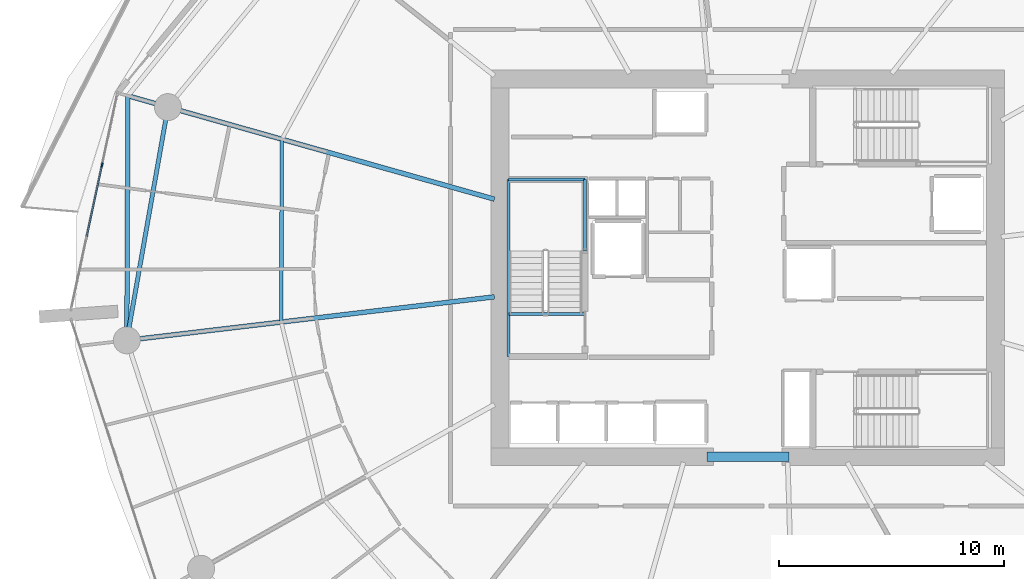
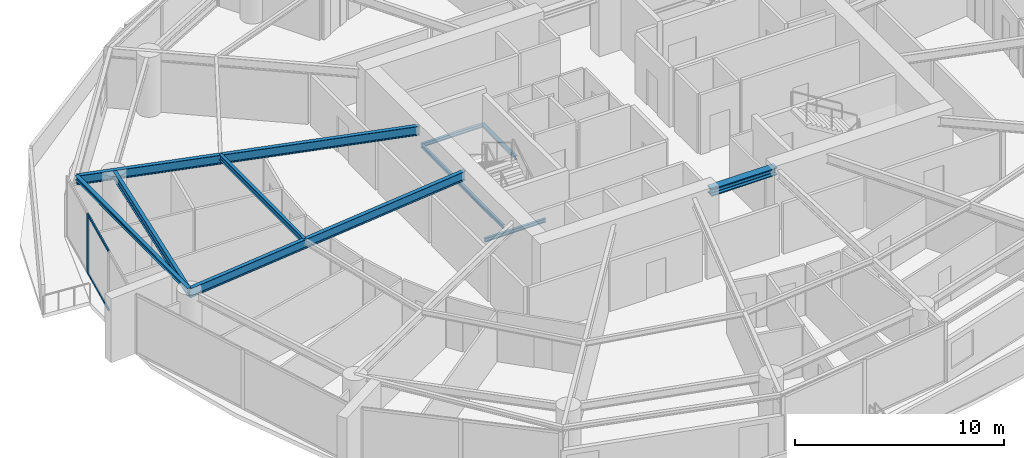
# One storey, part 6 of 23: 10 beams, 3 members, 1 element without a shape of its own.
"""IFC4 building model written with IfcOpenShell, lengths in metres."""

from ifc_helpers import new_model, si_unit, direction, frame, origin, origin_2d, place, context, subcontext, project, spatial, rectangle, i_section, extrude, material, layer, layer_set, material_profile, profile_set, type_object, element, aggregate, save


model = new_model("IFC4")

# Units and contexts
model_context = context("Model", 3, precision=1e-05, world=origin(), true_north=direction((0.0, 1.0)))
body_context = subcontext(model_context, "Body", "Model", "MODEL_VIEW")
ifc_project = project(units=[si_unit("LENGTHUNIT", "METRE"), si_unit("AREAUNIT", "SQUARE_METRE"), si_unit("VOLUMEUNIT", "CUBIC_METRE"), si_unit("PLANEANGLEUNIT", "RADIAN"), si_unit("MASSUNIT", "GRAM", prefix="KILO")], contexts=[model_context])

# Site, building, storey
site_placement = place(None, origin())
site = spatial("IfcSite", under=ifc_project, at=site_placement, CompositionType="ELEMENT")
building_placement = place(site_placement, origin())
building = spatial("IfcBuilding", under=site, at=building_placement, Name="Kazma Halo Residences", CompositionType="ELEMENT")
storey_placement = place(building_placement, frame((0.0, 0.0, 97.64990234375)))
storey = spatial("IfcBuildingStorey", under=building, at=storey_placement, Name="L24", CompositionType="ELEMENT", Elevation=97.64990234375)

# Beams
ifc_material_1 = material(Name="Steel S355", Category="steel")
ifc_material_profile_1 = material_profile(ifc_material_1, i_section(OverallWidth=0.201904296875, OverallDepth=0.2470703125, WebThickness=0.00732421875, FlangeThickness=0.010986328125, FilletRadius=0.011962890625, at=origin_2d()), Name="W250x49.1")
ifc_profile_set_1 = profile_set([ifc_material_profile_1], Name="Steel S355")
beam_type_1 = type_object("IfcBeamType", Name="BM-BAL-CANT", PredefinedType="BEAM", material=ifc_profile_set_1)
beam_1_placement = place(storey_placement, frame((20.8427734375, 49.6591796875, 3.376708984375), z_axis=(-0.004532963616, -0.999989726068, 0.0), x_axis=(0.999989726068, -0.004532963616, 0.0)))
element("IfcBeam", 1, at=beam_1_placement, inside=storey, type_object=beam_type_1, Name="L24 wave-balcony tie beam 07", PredefinedType="BEAM", context=body_context, shape_type="SweptSolid", body=[
    extrude(i_section(OverallWidth=0.201904296875, OverallDepth=0.2470703125, WebThickness=0.00732421875, FlangeThickness=0.010986328125, FilletRadius=0.011962890625, at=origin_2d()), origin(), (0.0, 0.0, 1.0), 10.87939453125),
])
ifc_material_profile_2 = material_profile(ifc_material_1, i_section(OverallWidth=0.408935546875, OverallDepth=0.425048828125, WebThickness=0.03271484375, FlangeThickness=0.052490234375, FilletRadius=0.02001953125, at=origin_2d()), Name="W360x421")
ifc_profile_set_2 = profile_set([ifc_material_profile_2], Name="Steel S355")
beam_type_2 = type_object("IfcBeamType", Name="BM-CORE-W360H", PredefinedType="BEAM", material=ifc_profile_set_2)
beam_2_placement = place(storey_placement, frame((46.60009765625, 33.60009765625, 3.28759765625), z_axis=(1.0, 0.0, 0.0), x_axis=(0.0, 1.0, 0.0)))
element("IfcBeam", 2, at=beam_2_placement, inside=storey, type_object=beam_type_2, Name="L24 core coupling beam S", PredefinedType="BEAM", context=body_context, shape_type="SweptSolid", body=[
    extrude(i_section(OverallWidth=0.408935546875, OverallDepth=0.425048828125, WebThickness=0.03271484375, FlangeThickness=0.052490234375, FilletRadius=0.02001953125, at=origin_2d()), origin(), (0.0, 0.0, 1.0), 3.64990234375),
])
ifc_material_profile_3 = material_profile(ifc_material_1, i_section(OverallWidth=0.208984375, OverallDepth=0.532958984375, WebThickness=0.01025390625, FlangeThickness=0.015625, FilletRadius=0.01611328125, at=origin_2d()), Name="W530x92")
ifc_profile_set_3 = profile_set([ifc_material_profile_3], Name="Steel S355")
beam_type_3 = type_object("IfcBeamType", Name="BM-RAD-W530", PredefinedType="BEAM", material=ifc_profile_set_3)
beam_3_placement = place(storey_placement, frame((37.14990234375, 45.06005859375, 3.233642578125), z_axis=(-0.962454695383, 0.271442368351, 0.0), x_axis=(-0.271442368351, -0.962454695383, 0.0)))
element("IfcBeam", 3, at=beam_3_placement, inside=storey, type_object=beam_type_3, Name="L24 radial floor beam 07", PredefinedType="BEAM", context=body_context, shape_type="SweptSolid", body=[
    extrude(i_section(OverallWidth=0.208984375, OverallDepth=0.532958984375, WebThickness=0.01025390625, FlangeThickness=0.015625, FilletRadius=0.01611328125, at=origin_2d()), origin(), (0.0, 0.0, 1.0), 16.943359375),
])
beam_4_placement = place(storey_placement, frame((37.14990234375, 40.7158203125, 3.233642578125), z_axis=(-0.99306759037, -0.117544718963, 0.0), x_axis=(0.117544718963, -0.99306759037, 0.0)))
element("IfcBeam", 4, at=beam_4_placement, inside=storey, type_object=beam_type_3, Name="L24 radial floor beam 08", PredefinedType="BEAM", context=body_context, shape_type="SweptSolid", body=[
    extrude(i_section(OverallWidth=0.208984375, OverallDepth=0.532958984375, WebThickness=0.01025390625, FlangeThickness=0.015625, FilletRadius=0.01611328125, at=origin_2d()), origin(), (0.0, 0.0, 1.0), 16.470703125),
])
ifc_material_profile_4 = material_profile(ifc_material_1, i_section(OverallWidth=0.1650390625, OverallDepth=0.31005859375, WebThickness=0.005859375, FlangeThickness=0.009765625, FilletRadius=0.011962890625, at=origin_2d()), Name="W310x38.7")
ifc_profile_set_4 = profile_set([ifc_material_profile_4], Name="Steel S355")
beam_type_4 = type_object("IfcBeamType", Name="BM-SEC-W310B", PredefinedType="JOIST", material=ifc_profile_set_4)
beam_5_placement = place(storey_placement, frame((27.69189453125, 47.7275390625, 3.34521484375), z_axis=(-0.003541500645, -0.999993728867, 0.0), x_axis=(0.999993728867, -0.003541500645, 0.0)))
element("IfcBeam", 5, at=beam_5_placement, inside=storey, type_object=beam_type_4, Name="L24 circumferential floor joist 07", PredefinedType="JOIST", context=body_context, shape_type="SweptSolid", body=[
    extrude(i_section(OverallWidth=0.1650390625, OverallDepth=0.31005859375, WebThickness=0.005859375, FlangeThickness=0.009765625, FilletRadius=0.011962890625, at=origin_2d()), origin(), (0.0, 0.0, 1.0), 8.134521484375),
])
ifc_material_profile_5 = material_profile(ifc_material_1, i_section(OverallWidth=0.18994140625, OverallDepth=0.45703125, WebThickness=0.009033203125, FlangeThickness=0.014404296875, FilletRadius=0.01611328125, at=origin_2d()), Name="W460x74")
ifc_profile_set_5 = profile_set([ifc_material_profile_5], Name="Steel S355")
beam_type_5 = type_object("IfcBeamType", Name="BM-SPN-W460", PredefinedType="BEAM", material=ifc_profile_set_5)
beam_6_placement = place(storey_placement, frame((22.623291015625, 49.156982421875, 3.271484375), z_axis=(-0.173653159051, -0.984806874647, 0.0), x_axis=(0.984806874647, -0.173653159051, 0.0)))
element("IfcBeam", 6, at=beam_6_placement, inside=storey, type_object=beam_type_5, Name="L24 perimeter ring beam 07", PredefinedType="BEAM", context=body_context, shape_type="SweptSolid", body=[
    extrude(i_section(OverallWidth=0.18994140625, OverallDepth=0.45703125, WebThickness=0.009033203125, FlangeThickness=0.014404296875, FilletRadius=0.01611328125, at=origin_2d()), origin(), (0.0, 0.0, 1.0), 10.537353515625),
])
ifc_material_profile_6 = material_profile(ifc_material_1, i_section(OverallWidth=0.133056640625, OverallDepth=0.20703125, WebThickness=0.005859375, FlangeThickness=0.00830078125, FilletRadius=0.010009765625, at=origin_2d()), Name="W200x26.6")
ifc_profile_set_6 = profile_set([ifc_material_profile_6], Name="Steel S355")
beam_type_6 = type_object("IfcBeamType", Name="BM-TRIM-W200", PredefinedType="BEAM", material=ifc_profile_set_6)
beam_7_placement = place(storey_placement, frame((37.800048828125, 39.949951171875, -0.35986328125), z_axis=(1.0, 0.0, 0.0), x_axis=(0.0, 1.0, 0.0)))
element("IfcBeam", 7, at=beam_7_placement, inside=storey, type_object=beam_type_6, Name="L24 ST-01 floor landing support beam", PredefinedType="BEAM", context=body_context, shape_type="SweptSolid", body=[
    extrude(i_section(OverallWidth=0.133056640625, OverallDepth=0.20703125, WebThickness=0.005859375, FlangeThickness=0.00830078125, FilletRadius=0.010009765625, at=origin_2d()), origin(), (0.0, 0.0, 1.0), 3.3798828125),
])
beam_8_placement = place(storey_placement, frame((37.780029296875, 38.06005859375, 1.570068359375), z_axis=(0.0, 1.0, 0.0), x_axis=(-1.0, 0.0, 0.0)))
element("IfcBeam", 8, at=beam_8_placement, inside=storey, type_object=beam_type_6, Name="L24 ST-01 landing west wall ledger", PredefinedType="BEAM", context=body_context, shape_type="SweptSolid", body=[
    extrude(i_section(OverallWidth=0.133056640625, OverallDepth=0.20703125, WebThickness=0.005859375, FlangeThickness=0.00830078125, FilletRadius=0.010009765625, at=origin_2d()), origin(), (0.0, 0.0, 1.0), 7.8798828125),
])
beam_9_placement = place(storey_placement, frame((41.179931640625, 42.75, 1.570068359375), z_axis=(0.0, 1.0, 0.0), x_axis=(-1.0, 0.0, 0.0)))
element("IfcBeam", 9, at=beam_9_placement, inside=storey, type_object=beam_type_6, Name="L24 ST-01 landing east wall ledger", PredefinedType="BEAM", context=body_context, shape_type="SweptSolid", body=[
    extrude(i_section(OverallWidth=0.133056640625, OverallDepth=0.20703125, WebThickness=0.005859375, FlangeThickness=0.00830078125, FilletRadius=0.010009765625, at=origin_2d()), origin(), (0.0, 0.0, 1.0), 3.18994140625),
])
beam_10_placement = place(storey_placement, frame((37.780029296875, 45.93994140625, 1.570068359375), z_axis=(1.0, 0.0, 0.0), x_axis=(0.0, 1.0, 0.0)))
element("IfcBeam", 10, at=beam_10_placement, inside=storey, type_object=beam_type_6, Name="L24 ST-01 landing end wall ledger", PredefinedType="BEAM", context=body_context, shape_type="SweptSolid", body=[
    extrude(i_section(OverallWidth=0.133056640625, OverallDepth=0.20703125, WebThickness=0.005859375, FlangeThickness=0.00830078125, FilletRadius=0.010009765625, at=origin_2d()), origin(), (0.0, 0.0, 1.0), 3.39990234375),
])

# Curtain wall, members
ifc_material_2 = material(Name="Aluminium AW-6063 T6 and Triple-Silver Low-E Glass", Category="aluminium")
ifc_layer = layer(ifc_material_2, 0.199951171875)
ifc_layer_set = layer_set([ifc_layer], Name="Aluminium AW-6063 T6 and Triple-Silver Low-E Glass")
curtain_wall_type = type_object("IfcCurtainWallType", Name="CW-SYS-3", PredefinedType="NOTDEFINED", material=ifc_layer_set)
curtain_wall_placement = place(storey_placement, origin())
curtain_wall = element("IfcCurtainWall", 11, at=curtain_wall_placement, inside=storey, type_object=curtain_wall_type, Name="L24 unitised curtain wall B07", PredefinedType="NOTDEFINED")
ifc_material_3 = material(Name="Aluminium AW-6063 T6", Category="aluminium")
ifc_material_profile_7 = material_profile(ifc_material_3, rectangle(XDim=0.070068359375, YDim=0.199951171875, at=origin_2d()), Name="CWM-70x200")
ifc_profile_set_7 = profile_set([ifc_material_profile_7], Name="Aluminium AW-6063 T6")
member_type_1 = type_object("IfcMemberType", Name="CW-SYS-3-MUL", PredefinedType="MULLION", material=ifc_profile_set_7)
member_1_placement = place(storey_placement, frame((19.69287109375, 46.5791015625, 0.0), z_axis=(0.0, 0.0, 1.0), x_axis=(0.977774176093, -0.209660822677, 0.0)))
member_1 = element("IfcMember", 12, at=member_1_placement, type_object=member_type_1, Name="CWS-3 mullion 2", PredefinedType="MULLION", context=body_context, shape_type="SweptSolid", body=[
    extrude(rectangle(XDim=0.070068359375, YDim=0.199951171875, at=origin_2d()), origin(), (0.0, 0.0, 1.0), 3.5),
])
ifc_material_profile_8 = material_profile(ifc_material_3, rectangle(XDim=0.070068359375, YDim=0.14990234375, at=origin_2d()), Name="CWT-70x150")
ifc_profile_set_8 = profile_set([ifc_material_profile_8], Name="Aluminium AW-6063 T6")
member_type_2 = type_object("IfcMemberType", Name="CW-SYS-3-TRN", PredefinedType="USERDEFINED", material=ifc_profile_set_8)
member_2_placement = place(storey_placement, frame((19.685546875, 46.544921875, 0.03515625), z_axis=(-0.209627675811, -0.977781283076, 0.0), x_axis=(0.977781283076, -0.209627675811, 0.0)))
member_2 = element("IfcMember", 13, at=member_2_placement, type_object=member_type_2, Name="CWS-3 transom 2.1", ObjectType="TRANSOM", PredefinedType="USERDEFINED", context=body_context, shape_type="SweptSolid", body=[
    extrude(rectangle(XDim=0.070068359375, YDim=0.14990234375, at=origin_2d()), origin(), (0.0, 0.0, 1.0), 3.213134765625),
])
member_3_placement = place(storey_placement, frame((19.685546875, 46.544921875, 3.465087890625), z_axis=(-0.209627675811, -0.977781283076, 0.0), x_axis=(0.977781283076, -0.209627675811, 0.0)))
member_3 = element("IfcMember", 14, at=member_3_placement, type_object=member_type_2, Name="CWS-3 transom 2.2", ObjectType="TRANSOM", PredefinedType="USERDEFINED", context=body_context, shape_type="SweptSolid", body=[
    extrude(rectangle(XDim=0.070068359375, YDim=0.14990234375, at=origin_2d()), origin(), (0.0, 0.0, 1.0), 3.213134765625),
])
aggregate(curtain_wall, [member_1, member_2, member_3])

save(model, "model.ifc")
